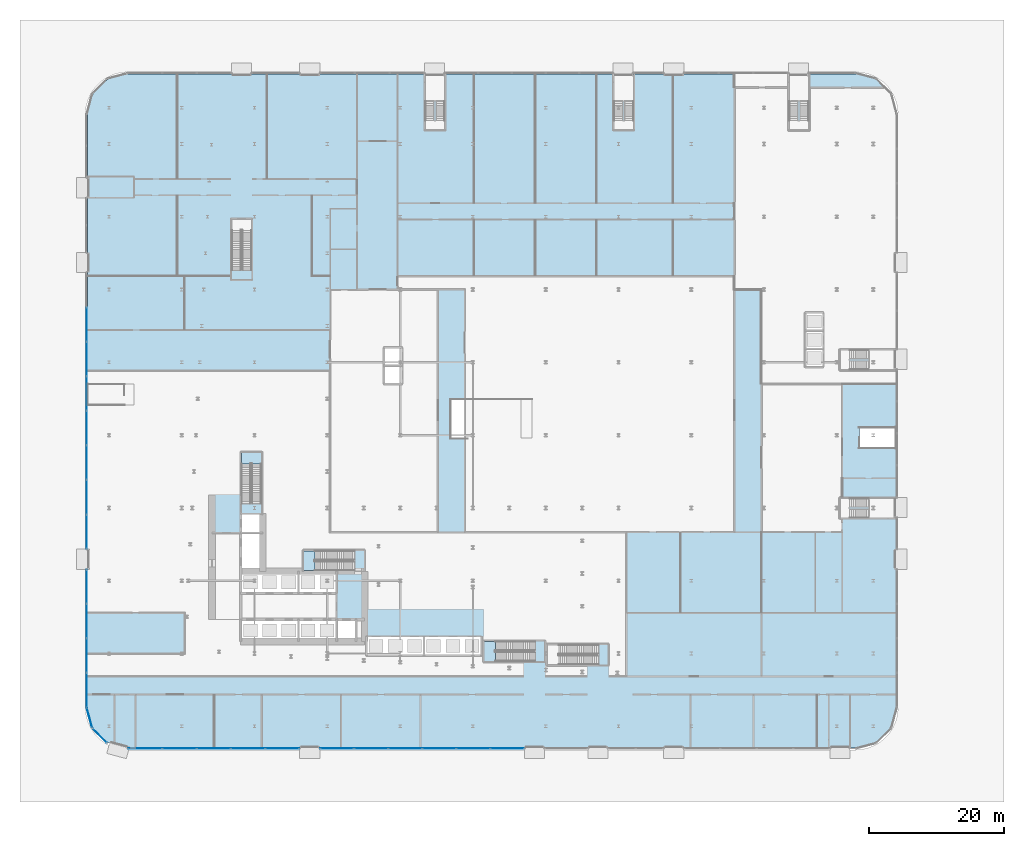
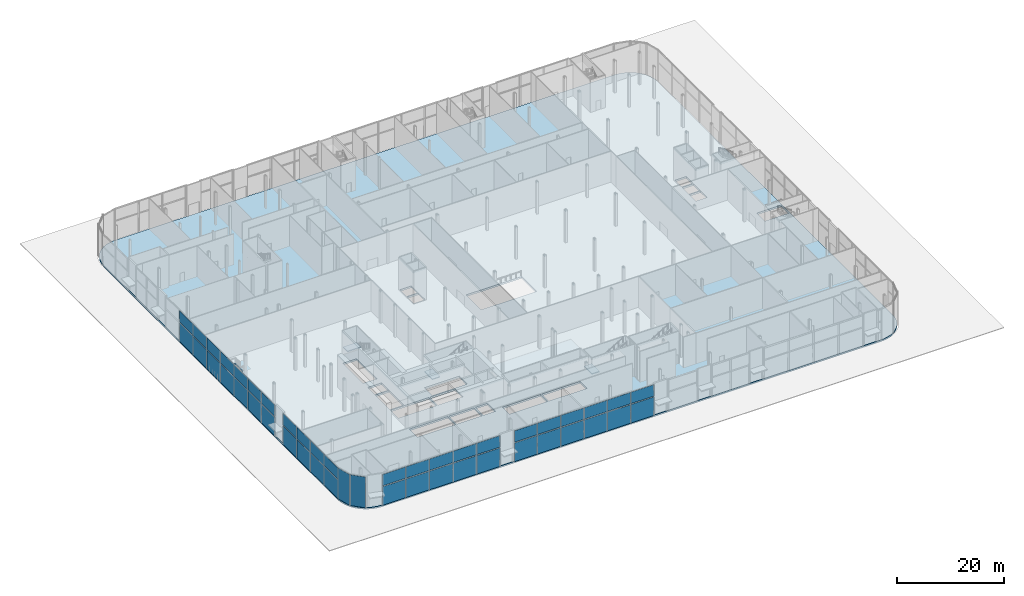
# One storey, part 18 of 46: 46 plates, 4 slabs, 9 elements without a shape of their own.
"""IFC4 building model written with IfcOpenShell, lengths in metres."""

from ifc_helpers import new_model, si_unit, direction, frame, origin, origin_2d, place, context, subcontext, project, spatial, polyline, rectangle, outline, extrude, material, layer, layer_set, type_object, element, aggregate, save


model = new_model("IFC4")

# Units and contexts
model_context = context("Model", 3, precision=1e-05, world=origin(), true_north=direction((0.0, 1.0)))
body_context = subcontext(model_context, "Body", "Model", "MODEL_VIEW")
ifc_project = project(units=[si_unit("LENGTHUNIT", "METRE"), si_unit("AREAUNIT", "SQUARE_METRE"), si_unit("VOLUMEUNIT", "CUBIC_METRE"), si_unit("PLANEANGLEUNIT", "RADIAN"), si_unit("MASSUNIT", "GRAM", prefix="KILO")], contexts=[model_context])

# Site, building, storey
site_placement = place(None, origin())
site = spatial("IfcSite", under=ifc_project, at=site_placement, CompositionType="ELEMENT")
building_placement = place(site_placement, origin())
building = spatial("IfcBuilding", under=site, at=building_placement, Name="Kheshtan School and Residences Tower", CompositionType="ELEMENT")
storey_placement = place(building_placement, origin())
storey = spatial("IfcBuildingStorey", under=building, at=storey_placement, Name="L00", CompositionType="ELEMENT", Elevation=0.0)

# Curtain wall, plates
ifc_material_1 = material(Name="Clear low-e glass in thermally broken aluminium frame", Category="aluminium")
ifc_layer_1 = layer(ifc_material_1, 0.300048828125)
ifc_layer_set_1 = layer_set([ifc_layer_1], Name="Curtain wall CW-A")
curtain_wall_type = type_object("IfcCurtainWallType", Name="Curtain wall CW-A", PredefinedType="NOTDEFINED", material=ifc_layer_set_1)
curtain_wall_1_placement = place(storey_placement, origin())
curtain_wall_1 = element("IfcCurtainWall", 1, at=curtain_wall_1_placement, inside=storey, type_object=curtain_wall_type, Name="Curtain wall CWA12d", PredefinedType="NOTDEFINED")
ifc_layer_2 = layer(ifc_material_1, 0.0439453125)
ifc_layer_set_2 = layer_set([ifc_layer_2], Name="CW-A glass panel")
plate_type = type_object("IfcPlateType", Name="CW-A glass panel", PredefinedType="CURTAIN_PANEL", material=ifc_layer_set_2)
plate_1_placement = place(storey_placement, frame((74.288330078125, 9.89990234375, 0.0), z_axis=(0.0, 0.0, 1.0), x_axis=(-1.0, 0.0, 0.0)))
plate_1 = element("IfcPlate", 2, at=plate_1_placement, type_object=plate_type, Name="CWA12d panel 1.1", PredefinedType="CURTAIN_PANEL", context=body_context, shape_type="SweptSolid", body=[
    extrude(rectangle(XDim=4.943359375, YDim=0.0439453125, at=origin_2d()), origin(), (0.0, 0.0, 1.0), 4.25),
])
plate_2_placement = place(storey_placement, frame((74.288330078125, 9.89990234375, 4.449951171875), z_axis=(0.0, 0.0, 1.0), x_axis=(-1.0, 0.0, 0.0)))
plate_2 = element("IfcPlate", 3, at=plate_2_placement, type_object=plate_type, Name="CWA12d panel 1.2", PredefinedType="CURTAIN_PANEL", context=body_context, shape_type="SweptSolid", body=[
    extrude(rectangle(XDim=4.943359375, YDim=0.0439453125, at=origin_2d()), origin(), (0.0, 0.0, 1.0), 2.60009765625),
])
plate_3_placement = place(storey_placement, frame((69.251220703125, 9.89990234375, 0.0), z_axis=(0.0, 0.0, 1.0), x_axis=(-1.0, 0.0, 0.0)))
plate_3 = element("IfcPlate", 4, at=plate_3_placement, type_object=plate_type, Name="CWA12d panel 2.1", PredefinedType="CURTAIN_PANEL", context=body_context, shape_type="SweptSolid", body=[
    extrude(rectangle(XDim=4.980712890625, YDim=0.0439453125, at=origin_2d()), origin(), (0.0, 0.0, 1.0), 4.25),
])
plate_4_placement = place(storey_placement, frame((69.251220703125, 9.89990234375, 4.449951171875), z_axis=(0.0, 0.0, 1.0), x_axis=(-1.0, 0.0, 0.0)))
plate_4 = element("IfcPlate", 5, at=plate_4_placement, type_object=plate_type, Name="CWA12d panel 2.2", PredefinedType="CURTAIN_PANEL", context=body_context, shape_type="SweptSolid", body=[
    extrude(rectangle(XDim=4.980712890625, YDim=0.0439453125, at=origin_2d()), origin(), (0.0, 0.0, 1.0), 2.60009765625),
])
plate_5_placement = place(storey_placement, frame((64.1953125, 9.89990234375, 0.0), z_axis=(0.0, 0.0, 1.0), x_axis=(-1.0, 0.0, 0.0)))
plate_5 = element("IfcPlate", 6, at=plate_5_placement, type_object=plate_type, Name="CWA12d panel 3.1", PredefinedType="CURTAIN_PANEL", context=body_context, shape_type="SweptSolid", body=[
    extrude(rectangle(XDim=4.980712890625, YDim=0.0439453125, at=origin_2d()), origin(), (0.0, 0.0, 1.0), 4.25),
])
plate_6_placement = place(storey_placement, frame((64.1953125, 9.89990234375, 4.449951171875), z_axis=(0.0, 0.0, 1.0), x_axis=(-1.0, 0.0, 0.0)))
plate_6 = element("IfcPlate", 7, at=plate_6_placement, type_object=plate_type, Name="CWA12d panel 3.2", PredefinedType="CURTAIN_PANEL", context=body_context, shape_type="SweptSolid", body=[
    extrude(rectangle(XDim=4.980712890625, YDim=0.0439453125, at=origin_2d()), origin(), (0.0, 0.0, 1.0), 2.60009765625),
])
plate_7_placement = place(storey_placement, frame((59.1396484375, 9.89990234375, 0.0), z_axis=(0.0, 0.0, 1.0), x_axis=(-1.0, 0.0, 0.0)))
plate_7 = element("IfcPlate", 8, at=plate_7_placement, type_object=plate_type, Name="CWA12d panel 4.1", PredefinedType="CURTAIN_PANEL", context=body_context, shape_type="SweptSolid", body=[
    extrude(rectangle(XDim=4.980712890625, YDim=0.0439453125, at=origin_2d()), origin(), (0.0, 0.0, 1.0), 4.25),
])
plate_8_placement = place(storey_placement, frame((59.1396484375, 9.89990234375, 4.449951171875), z_axis=(0.0, 0.0, 1.0), x_axis=(-1.0, 0.0, 0.0)))
plate_8 = element("IfcPlate", 9, at=plate_8_placement, type_object=plate_type, Name="CWA12d panel 4.2", PredefinedType="CURTAIN_PANEL", context=body_context, shape_type="SweptSolid", body=[
    extrude(rectangle(XDim=4.980712890625, YDim=0.0439453125, at=origin_2d()), origin(), (0.0, 0.0, 1.0), 2.60009765625),
])
plate_9_placement = place(storey_placement, frame((54.083740234375, 9.89990234375, 0.0), z_axis=(0.0, 0.0, 1.0), x_axis=(-1.0, 0.0, 0.0)))
plate_9 = element("IfcPlate", 10, at=plate_9_placement, type_object=plate_type, Name="CWA12d panel 5.1", PredefinedType="CURTAIN_PANEL", context=body_context, shape_type="SweptSolid", body=[
    extrude(rectangle(XDim=4.980712890625, YDim=0.0439453125, at=origin_2d()), origin(), (0.0, 0.0, 1.0), 4.25),
])
plate_10_placement = place(storey_placement, frame((54.083740234375, 9.89990234375, 4.449951171875), z_axis=(0.0, 0.0, 1.0), x_axis=(-1.0, 0.0, 0.0)))
plate_10 = element("IfcPlate", 11, at=plate_10_placement, type_object=plate_type, Name="CWA12d panel 5.2", PredefinedType="CURTAIN_PANEL", context=body_context, shape_type="SweptSolid", body=[
    extrude(rectangle(XDim=4.980712890625, YDim=0.0439453125, at=origin_2d()), origin(), (0.0, 0.0, 1.0), 2.60009765625),
])
plate_11_placement = place(storey_placement, frame((49.046630859375, 9.89990234375, 0.0), z_axis=(0.0, 0.0, 1.0), x_axis=(-1.0, 0.0, 0.0)))
plate_11 = element("IfcPlate", 12, at=plate_11_placement, type_object=plate_type, Name="CWA12d panel 6.1", PredefinedType="CURTAIN_PANEL", context=body_context, shape_type="SweptSolid", body=[
    extrude(rectangle(XDim=4.943359375, YDim=0.0439453125, at=origin_2d()), origin(), (0.0, 0.0, 1.0), 4.25),
])
plate_12_placement = place(storey_placement, frame((49.046630859375, 9.89990234375, 4.449951171875), z_axis=(0.0, 0.0, 1.0), x_axis=(-1.0, 0.0, 0.0)))
plate_12 = element("IfcPlate", 13, at=plate_12_placement, type_object=plate_type, Name="CWA12d panel 6.2", PredefinedType="CURTAIN_PANEL", context=body_context, shape_type="SweptSolid", body=[
    extrude(rectangle(XDim=4.943359375, YDim=0.0439453125, at=origin_2d()), origin(), (0.0, 0.0, 1.0), 2.60009765625),
])
aggregate(curtain_wall_1, [plate_1, plate_2, plate_3, plate_4, plate_5, plate_6, plate_7, plate_8, plate_9, plate_10, plate_11, plate_12])

curtain_wall_2_placement = place(storey_placement, origin())
curtain_wall_2 = element("IfcCurtainWall", 14, at=curtain_wall_2_placement, inside=storey, type_object=curtain_wall_type, Name="Curtain wall CWA12e", PredefinedType="NOTDEFINED")
plate_13_placement = place(storey_placement, frame((40.93115234375, 9.89990234375, 0.0), z_axis=(0.0, 0.0, 1.0), x_axis=(-1.0, 0.0, 0.0)))
plate_13 = element("IfcPlate", 15, at=plate_13_placement, type_object=plate_type, Name="CWA12e panel 1.1", PredefinedType="CURTAIN_PANEL", context=body_context, shape_type="SweptSolid", body=[
    extrude(rectangle(XDim=4.987548828125, YDim=0.0439453125, at=origin_2d()), origin(), (0.0, 0.0, 1.0), 4.25),
])
plate_14_placement = place(storey_placement, frame((40.93115234375, 9.89990234375, 4.449951171875), z_axis=(0.0, 0.0, 1.0), x_axis=(-1.0, 0.0, 0.0)))
plate_14 = element("IfcPlate", 16, at=plate_14_placement, type_object=plate_type, Name="CWA12e panel 1.2", PredefinedType="CURTAIN_PANEL", context=body_context, shape_type="SweptSolid", body=[
    extrude(rectangle(XDim=4.987548828125, YDim=0.0439453125, at=origin_2d()), origin(), (0.0, 0.0, 1.0), 2.60009765625),
])
plate_15_placement = place(storey_placement, frame((35.85009765625, 9.89990234375, 0.0), z_axis=(0.0, 0.0, 1.0), x_axis=(-1.0, 0.0, 0.0)))
plate_15 = element("IfcPlate", 17, at=plate_15_placement, type_object=plate_type, Name="CWA12e panel 2.1", PredefinedType="CURTAIN_PANEL", context=body_context, shape_type="SweptSolid", body=[
    extrude(rectangle(XDim=5.02490234375, YDim=0.0439453125, at=origin_2d()), origin(), (0.0, 0.0, 1.0), 4.25),
])
plate_16_placement = place(storey_placement, frame((35.85009765625, 9.89990234375, 4.449951171875), z_axis=(0.0, 0.0, 1.0), x_axis=(-1.0, 0.0, 0.0)))
plate_16 = element("IfcPlate", 18, at=plate_16_placement, type_object=plate_type, Name="CWA12e panel 2.2", PredefinedType="CURTAIN_PANEL", context=body_context, shape_type="SweptSolid", body=[
    extrude(rectangle(XDim=5.02490234375, YDim=0.0439453125, at=origin_2d()), origin(), (0.0, 0.0, 1.0), 2.60009765625),
])
plate_17_placement = place(storey_placement, frame((30.75, 9.89990234375, 0.0), z_axis=(0.0, 0.0, 1.0), x_axis=(-1.0, 0.0, 0.0)))
plate_17 = element("IfcPlate", 19, at=plate_17_placement, type_object=plate_type, Name="CWA12e panel 3.1", PredefinedType="CURTAIN_PANEL", context=body_context, shape_type="SweptSolid", body=[
    extrude(rectangle(XDim=5.02490234375, YDim=0.0439453125, at=origin_2d()), origin(), (0.0, 0.0, 1.0), 4.25),
])
plate_18_placement = place(storey_placement, frame((30.75, 9.89990234375, 4.449951171875), z_axis=(0.0, 0.0, 1.0), x_axis=(-1.0, 0.0, 0.0)))
plate_18 = element("IfcPlate", 20, at=plate_18_placement, type_object=plate_type, Name="CWA12e panel 3.2", PredefinedType="CURTAIN_PANEL", context=body_context, shape_type="SweptSolid", body=[
    extrude(rectangle(XDim=5.02490234375, YDim=0.0439453125, at=origin_2d()), origin(), (0.0, 0.0, 1.0), 2.60009765625),
])
plate_19_placement = place(storey_placement, frame((25.64990234375, 9.89990234375, 0.0), z_axis=(0.0, 0.0, 1.0), x_axis=(-1.0, 0.0, 0.0)))
plate_19 = element("IfcPlate", 21, at=plate_19_placement, type_object=plate_type, Name="CWA12e panel 4.1", PredefinedType="CURTAIN_PANEL", context=body_context, shape_type="SweptSolid", body=[
    extrude(rectangle(XDim=5.02490234375, YDim=0.0439453125, at=origin_2d()), origin(), (0.0, 0.0, 1.0), 4.25),
])
plate_20_placement = place(storey_placement, frame((25.64990234375, 9.89990234375, 4.449951171875), z_axis=(0.0, 0.0, 1.0), x_axis=(-1.0, 0.0, 0.0)))
plate_20 = element("IfcPlate", 22, at=plate_20_placement, type_object=plate_type, Name="CWA12e panel 4.2", PredefinedType="CURTAIN_PANEL", context=body_context, shape_type="SweptSolid", body=[
    extrude(rectangle(XDim=5.02490234375, YDim=0.0439453125, at=origin_2d()), origin(), (0.0, 0.0, 1.0), 2.60009765625),
])
plate_21_placement = place(storey_placement, frame((20.56884765625, 9.89990234375, 0.0), z_axis=(0.0, 0.0, 1.0), x_axis=(-1.0, 0.0, 0.0)))
plate_21 = element("IfcPlate", 23, at=plate_21_placement, type_object=plate_type, Name="CWA12e panel 5.1", PredefinedType="CURTAIN_PANEL", context=body_context, shape_type="SweptSolid", body=[
    extrude(rectangle(XDim=4.987548828125, YDim=0.0439453125, at=origin_2d()), origin(), (0.0, 0.0, 1.0), 4.25),
])
plate_22_placement = place(storey_placement, frame((20.56884765625, 9.89990234375, 4.449951171875), z_axis=(0.0, 0.0, 1.0), x_axis=(-1.0, 0.0, 0.0)))
plate_22 = element("IfcPlate", 24, at=plate_22_placement, type_object=plate_type, Name="CWA12e panel 5.2", PredefinedType="CURTAIN_PANEL", context=body_context, shape_type="SweptSolid", body=[
    extrude(rectangle(XDim=4.987548828125, YDim=0.0439453125, at=origin_2d()), origin(), (0.0, 0.0, 1.0), 2.60009765625),
])
aggregate(curtain_wall_2, [plate_13, plate_14, plate_15, plate_16, plate_17, plate_18, plate_19, plate_20, plate_21, plate_22])

# Curtain wall, plate
curtain_wall_3_placement = place(storey_placement, origin())
curtain_wall_3 = element("IfcCurtainWall", 25, at=curtain_wall_3_placement, inside=storey, type_object=curtain_wall_type, Name="Curtain wall CWA14", PredefinedType="NOTDEFINED")
plate_23_placement = place(storey_placement, frame((13.831298828125, 11.831298828125, 0.0), z_axis=(0.0, 0.0, 1.0), x_axis=(-0.707106781187, 0.707106781187, 0.0)))
plate_23 = element("IfcPlate", 26, at=plate_23_placement, type_object=plate_type, Name="CWA14 panel 1.1", PredefinedType="CURTAIN_PANEL", context=body_context, shape_type="SweptSolid", body=[
    extrude(rectangle(XDim=2.95556640625, YDim=0.0439453125, at=origin_2d()), origin(), (0.0, 0.0, 1.0), 7.050048828125),
])
aggregate(curtain_wall_3, [plate_23])

curtain_wall_4_placement = place(storey_placement, origin())
curtain_wall_4 = element("IfcCurtainWall", 27, at=curtain_wall_4_placement, inside=storey, type_object=curtain_wall_type, Name="Curtain wall CWA15", PredefinedType="NOTDEFINED")
plate_24_placement = place(storey_placement, frame((12.305419921875, 14.47412109375, 0.0), z_axis=(0.0, 0.0, 1.0), x_axis=(-0.258864833085, 0.965913556273, 0.0)))
plate_24 = element("IfcPlate", 28, at=plate_24_placement, type_object=plate_type, Name="CWA15 panel 1.1", PredefinedType="CURTAIN_PANEL", context=body_context, shape_type="SweptSolid", body=[
    extrude(rectangle(XDim=2.955810546875, YDim=0.0439453125, at=origin_2d()), origin(), (0.0, 0.0, 1.0), 7.050048828125),
])
aggregate(curtain_wall_4, [plate_24])

# Curtain wall, plates
curtain_wall_5_placement = place(storey_placement, origin())
curtain_wall_5 = element("IfcCurtainWall", 29, at=curtain_wall_5_placement, inside=storey, type_object=curtain_wall_type, Name="Curtain wall CWA16", PredefinedType="NOTDEFINED")
plate_25_placement = place(storey_placement, frame((11.89990234375, 18.531494140625, 0.0), z_axis=(0.0, 0.0, 1.0), x_axis=(0.0, 1.0, 0.0)))
plate_25 = element("IfcPlate", 30, at=plate_25_placement, type_object=plate_type, Name="CWA16 panel 1.1", PredefinedType="CURTAIN_PANEL", context=body_context, shape_type="SweptSolid", body=[
    extrude(rectangle(XDim=5.112060546875, YDim=0.0439453125, at=origin_2d()), origin(), (0.0, 0.0, 1.0), 4.25),
])
plate_26_placement = place(storey_placement, frame((11.89990234375, 18.531494140625, 4.449951171875), z_axis=(0.0, 0.0, 1.0), x_axis=(0.0, 1.0, 0.0)))
plate_26 = element("IfcPlate", 31, at=plate_26_placement, type_object=plate_type, Name="CWA16 panel 1.2", PredefinedType="CURTAIN_PANEL", context=body_context, shape_type="SweptSolid", body=[
    extrude(rectangle(XDim=5.112060546875, YDim=0.0439453125, at=origin_2d()), origin(), (0.0, 0.0, 1.0), 2.60009765625),
])
plate_27_placement = place(storey_placement, frame((11.89990234375, 23.6875, 0.0), z_axis=(0.0, 0.0, 1.0), x_axis=(0.0, 1.0, 0.0)))
plate_27 = element("IfcPlate", 32, at=plate_27_placement, type_object=plate_type, Name="CWA16 panel 2.1", PredefinedType="CURTAIN_PANEL", context=body_context, shape_type="SweptSolid", body=[
    extrude(rectangle(XDim=5.050048828125, YDim=0.0439453125, at=origin_2d()), origin(), (0.0, 0.0, 1.0), 4.25),
])
plate_28_placement = place(storey_placement, frame((11.89990234375, 23.6875, 4.449951171875), z_axis=(0.0, 0.0, 1.0), x_axis=(0.0, 1.0, 0.0)))
plate_28 = element("IfcPlate", 33, at=plate_28_placement, type_object=plate_type, Name="CWA16 panel 2.2", PredefinedType="CURTAIN_PANEL", context=body_context, shape_type="SweptSolid", body=[
    extrude(rectangle(XDim=5.050048828125, YDim=0.0439453125, at=origin_2d()), origin(), (0.0, 0.0, 1.0), 2.60009765625),
])
plate_29_placement = place(storey_placement, frame((11.89990234375, 28.8125, 0.0), z_axis=(0.0, 0.0, 1.0), x_axis=(0.0, 1.0, 0.0)))
plate_29 = element("IfcPlate", 34, at=plate_29_placement, type_object=plate_type, Name="CWA16 panel 3.1", PredefinedType="CURTAIN_PANEL", context=body_context, shape_type="SweptSolid", body=[
    extrude(rectangle(XDim=5.050048828125, YDim=0.0439453125, at=origin_2d()), origin(), (0.0, 0.0, 1.0), 4.25),
])
plate_30_placement = place(storey_placement, frame((11.89990234375, 28.8125, 4.449951171875), z_axis=(0.0, 0.0, 1.0), x_axis=(0.0, 1.0, 0.0)))
plate_30 = element("IfcPlate", 35, at=plate_30_placement, type_object=plate_type, Name="CWA16 panel 3.2", PredefinedType="CURTAIN_PANEL", context=body_context, shape_type="SweptSolid", body=[
    extrude(rectangle(XDim=5.050048828125, YDim=0.0439453125, at=origin_2d()), origin(), (0.0, 0.0, 1.0), 2.60009765625),
])
plate_31_placement = place(storey_placement, frame((11.89990234375, 33.918701171875, 0.0), z_axis=(0.0, 0.0, 1.0), x_axis=(0.0, 1.0, 0.0)))
plate_31 = element("IfcPlate", 36, at=plate_31_placement, type_object=plate_type, Name="CWA16 panel 4.1", PredefinedType="CURTAIN_PANEL", context=body_context, shape_type="SweptSolid", body=[
    extrude(rectangle(XDim=5.012451171875, YDim=0.0439453125, at=origin_2d()), origin(), (0.0, 0.0, 1.0), 4.25),
])
plate_32_placement = place(storey_placement, frame((11.89990234375, 33.918701171875, 4.449951171875), z_axis=(0.0, 0.0, 1.0), x_axis=(0.0, 1.0, 0.0)))
plate_32 = element("IfcPlate", 37, at=plate_32_placement, type_object=plate_type, Name="CWA16 panel 4.2", PredefinedType="CURTAIN_PANEL", context=body_context, shape_type="SweptSolid", body=[
    extrude(rectangle(XDim=5.012451171875, YDim=0.0439453125, at=origin_2d()), origin(), (0.0, 0.0, 1.0), 2.60009765625),
])
aggregate(curtain_wall_5, [plate_25, plate_26, plate_27, plate_28, plate_29, plate_30, plate_31, plate_32])

curtain_wall_6_placement = place(storey_placement, origin())
curtain_wall_6 = element("IfcCurtainWall", 38, at=curtain_wall_6_placement, inside=storey, type_object=curtain_wall_type, Name="Curtain wall CWA16a", PredefinedType="NOTDEFINED")
plate_33_placement = place(storey_placement, frame((11.89990234375, 42.081298828125, 0.0), z_axis=(0.0, 0.0, 1.0), x_axis=(0.0, 1.0, 0.0)))
plate_33 = element("IfcPlate", 39, at=plate_33_placement, type_object=plate_type, Name="CWA16a panel 1.1", PredefinedType="CURTAIN_PANEL", context=body_context, shape_type="SweptSolid", body=[
    extrude(rectangle(XDim=5.012451171875, YDim=0.0439453125, at=origin_2d()), origin(), (0.0, 0.0, 1.0), 4.25),
])
plate_34_placement = place(storey_placement, frame((11.89990234375, 42.081298828125, 4.449951171875), z_axis=(0.0, 0.0, 1.0), x_axis=(0.0, 1.0, 0.0)))
plate_34 = element("IfcPlate", 40, at=plate_34_placement, type_object=plate_type, Name="CWA16a panel 1.2", PredefinedType="CURTAIN_PANEL", context=body_context, shape_type="SweptSolid", body=[
    extrude(rectangle(XDim=5.012451171875, YDim=0.0439453125, at=origin_2d()), origin(), (0.0, 0.0, 1.0), 2.60009765625),
])
plate_35_placement = place(storey_placement, frame((11.89990234375, 47.1875, 0.0), z_axis=(0.0, 0.0, 1.0), x_axis=(0.0, 1.0, 0.0)))
plate_35 = element("IfcPlate", 41, at=plate_35_placement, type_object=plate_type, Name="CWA16a panel 2.1", PredefinedType="CURTAIN_PANEL", context=body_context, shape_type="SweptSolid", body=[
    extrude(rectangle(XDim=5.050048828125, YDim=0.0439453125, at=origin_2d()), origin(), (0.0, 0.0, 1.0), 4.25),
])
plate_36_placement = place(storey_placement, frame((11.89990234375, 47.1875, 4.449951171875), z_axis=(0.0, 0.0, 1.0), x_axis=(0.0, 1.0, 0.0)))
plate_36 = element("IfcPlate", 42, at=plate_36_placement, type_object=plate_type, Name="CWA16a panel 2.2", PredefinedType="CURTAIN_PANEL", context=body_context, shape_type="SweptSolid", body=[
    extrude(rectangle(XDim=5.050048828125, YDim=0.0439453125, at=origin_2d()), origin(), (0.0, 0.0, 1.0), 2.60009765625),
])
plate_37_placement = place(storey_placement, frame((11.89990234375, 52.3125, 0.0), z_axis=(0.0, 0.0, 1.0), x_axis=(0.0, 1.0, 0.0)))
plate_37 = element("IfcPlate", 43, at=plate_37_placement, type_object=plate_type, Name="CWA16a panel 3.1", PredefinedType="CURTAIN_PANEL", context=body_context, shape_type="SweptSolid", body=[
    extrude(rectangle(XDim=5.050048828125, YDim=0.0439453125, at=origin_2d()), origin(), (0.0, 0.0, 1.0), 4.25),
])
plate_38_placement = place(storey_placement, frame((11.89990234375, 52.3125, 4.449951171875), z_axis=(0.0, 0.0, 1.0), x_axis=(0.0, 1.0, 0.0)))
plate_38 = element("IfcPlate", 44, at=plate_38_placement, type_object=plate_type, Name="CWA16a panel 3.2", PredefinedType="CURTAIN_PANEL", context=body_context, shape_type="SweptSolid", body=[
    extrude(rectangle(XDim=5.050048828125, YDim=0.0439453125, at=origin_2d()), origin(), (0.0, 0.0, 1.0), 2.60009765625),
])
plate_39_placement = place(storey_placement, frame((11.89990234375, 57.4375, 0.0), z_axis=(0.0, 0.0, 1.0), x_axis=(0.0, 1.0, 0.0)))
plate_39 = element("IfcPlate", 45, at=plate_39_placement, type_object=plate_type, Name="CWA16a panel 4.1", PredefinedType="CURTAIN_PANEL", context=body_context, shape_type="SweptSolid", body=[
    extrude(rectangle(XDim=5.050048828125, YDim=0.0439453125, at=origin_2d()), origin(), (0.0, 0.0, 1.0), 4.25),
])
plate_40_placement = place(storey_placement, frame((11.89990234375, 57.4375, 4.449951171875), z_axis=(0.0, 0.0, 1.0), x_axis=(0.0, 1.0, 0.0)))
plate_40 = element("IfcPlate", 46, at=plate_40_placement, type_object=plate_type, Name="CWA16a panel 4.2", PredefinedType="CURTAIN_PANEL", context=body_context, shape_type="SweptSolid", body=[
    extrude(rectangle(XDim=5.050048828125, YDim=0.0439453125, at=origin_2d()), origin(), (0.0, 0.0, 1.0), 2.60009765625),
])
plate_41_placement = place(storey_placement, frame((11.89990234375, 62.5625, 0.0), z_axis=(0.0, 0.0, 1.0), x_axis=(0.0, 1.0, 0.0)))
plate_41 = element("IfcPlate", 47, at=plate_41_placement, type_object=plate_type, Name="CWA16a panel 5.1", PredefinedType="CURTAIN_PANEL", context=body_context, shape_type="SweptSolid", body=[
    extrude(rectangle(XDim=5.050048828125, YDim=0.0439453125, at=origin_2d()), origin(), (0.0, 0.0, 1.0), 4.25),
])
plate_42_placement = place(storey_placement, frame((11.89990234375, 62.5625, 4.449951171875), z_axis=(0.0, 0.0, 1.0), x_axis=(0.0, 1.0, 0.0)))
plate_42 = element("IfcPlate", 48, at=plate_42_placement, type_object=plate_type, Name="CWA16a panel 5.2", PredefinedType="CURTAIN_PANEL", context=body_context, shape_type="SweptSolid", body=[
    extrude(rectangle(XDim=5.050048828125, YDim=0.0439453125, at=origin_2d()), origin(), (0.0, 0.0, 1.0), 2.60009765625),
])
plate_43_placement = place(storey_placement, frame((11.89990234375, 67.6875, 0.0), z_axis=(0.0, 0.0, 1.0), x_axis=(0.0, 1.0, 0.0)))
plate_43 = element("IfcPlate", 49, at=plate_43_placement, type_object=plate_type, Name="CWA16a panel 6.1", PredefinedType="CURTAIN_PANEL", context=body_context, shape_type="SweptSolid", body=[
    extrude(rectangle(XDim=5.050048828125, YDim=0.0439453125, at=origin_2d()), origin(), (0.0, 0.0, 1.0), 4.25),
])
plate_44_placement = place(storey_placement, frame((11.89990234375, 67.6875, 4.449951171875), z_axis=(0.0, 0.0, 1.0), x_axis=(0.0, 1.0, 0.0)))
plate_44 = element("IfcPlate", 50, at=plate_44_placement, type_object=plate_type, Name="CWA16a panel 6.2", PredefinedType="CURTAIN_PANEL", context=body_context, shape_type="SweptSolid", body=[
    extrude(rectangle(XDim=5.050048828125, YDim=0.0439453125, at=origin_2d()), origin(), (0.0, 0.0, 1.0), 2.60009765625),
])
plate_45_placement = place(storey_placement, frame((11.89990234375, 72.8125, 0.0), z_axis=(0.0, 0.0, 1.0), x_axis=(0.0, 1.0, 0.0)))
plate_45 = element("IfcPlate", 51, at=plate_45_placement, type_object=plate_type, Name="CWA16a panel 7.1", PredefinedType="CURTAIN_PANEL", context=body_context, shape_type="SweptSolid", body=[
    extrude(rectangle(XDim=5.050048828125, YDim=0.0439453125, at=origin_2d()), origin(), (0.0, 0.0, 1.0), 4.25),
])
plate_46_placement = place(storey_placement, frame((11.89990234375, 72.8125, 4.449951171875), z_axis=(0.0, 0.0, 1.0), x_axis=(0.0, 1.0, 0.0)))
plate_46 = element("IfcPlate", 52, at=plate_46_placement, type_object=plate_type, Name="CWA16a panel 7.2", PredefinedType="CURTAIN_PANEL", context=body_context, shape_type="SweptSolid", body=[
    extrude(rectangle(XDim=5.050048828125, YDim=0.0439453125, at=origin_2d()), origin(), (0.0, 0.0, 1.0), 2.60009765625),
])
aggregate(curtain_wall_6, [plate_33, plate_34, plate_35, plate_36, plate_37, plate_38, plate_39, plate_40, plate_41, plate_42, plate_43, plate_44, plate_45, plate_46])

# Slab
ifc_material_2 = material(Name="Concrete C40/50", Category="concrete")
ifc_layer_3 = layer(ifc_material_2, 0.419921875)
ifc_layer_set_3 = layer_set([ifc_layer_3], Name="Floor slab 420 Concrete C40/50")
slab_type_1 = type_object("IfcSlabType", Name="Floor slab 420 Concrete C40/50", PredefinedType="FLOOR", material=ifc_layer_set_3)
slab_1_placement = place(storey_placement, frame((0.0, 0.0, -0.419921875)))
element("IfcSlab", 53, at=slab_1_placement, inside=storey, type_object=slab_type_1, Name="Floor slab L00", PredefinedType="FLOOR", context=body_context, shape_type="SweptSolid", body=[
    extrude(outline(polyline([(14.14306640625, 108.595947265625), (15.0, 109.196044921875), (15.947998046875, 109.637939453125), (16.9580078125, 109.908935546875), (18.0, 110.0), (126.0, 110.0), (127.0419921875, 109.908935546875), (128.052001953125, 109.637939453125), (129.0, 109.196044921875), (129.85693359375, 108.595947265625), (130.595947265625, 107.85693359375), (131.196044921875, 107.0), (131.637939453125, 106.052001953125), (131.908935546875, 105.0419921875), (132.0, 104.0), (132.0, 16.0), (131.908935546875, 14.9580078125), (131.637939453125, 13.947998046875), (131.196044921875, 13.0), (130.595947265625, 12.14306640625), (129.85693359375, 11.404052734375), (129.0, 10.803955078125), (128.052001953125, 10.362060546875), (127.0419921875, 10.091064453125), (126.0, 10.0), (18.0, 10.0), (16.9580078125, 10.091064453125), (15.947998046875, 10.362060546875), (15.0, 10.803955078125), (14.14306640625, 11.404052734375), (13.404052734375, 12.14306640625), (12.803955078125, 13.0), (12.362060546875, 13.947998046875), (12.091064453125, 14.9580078125), (12.0, 16.0), (12.0, 104.0), (12.091064453125, 105.0419921875), (12.362060546875, 106.052001953125), (12.803955078125, 107.0), (13.404052734375, 107.85693359375), (14.14306640625, 108.595947265625)]), holes=[polyline([(43.175048828125, 25.925048828125), (43.175048828125, 28.925048828125), (34.875, 28.925048828125), (34.875, 25.925048828125), (43.175048828125, 25.925048828125)]), polyline([(43.425048828125, 28.925048828125), (43.425048828125, 25.925048828125), (48.875, 25.925048828125), (48.875, 28.925048828125), (43.425048828125, 28.925048828125)]), polyline([(51.72509765625, 28.925048828125), (49.125, 28.925048828125), (49.125, 25.925048828125), (51.72509765625, 25.925048828125), (51.72509765625, 28.925048828125)]), polyline([(43.175048828125, 33.074951171875), (43.175048828125, 36.074951171875), (34.875, 36.074951171875), (34.875, 33.074951171875), (43.175048828125, 33.074951171875)]), polyline([(43.425048828125, 36.074951171875), (43.425048828125, 33.074951171875), (48.875, 33.074951171875), (48.875, 36.074951171875), (43.425048828125, 36.074951171875)]), polyline([(51.64990234375, 37.699951171875), (51.64990234375, 39.25), (44.090087890625, 39.25), (44.090087890625, 36.300048828125), (51.639892578125, 36.300048828125), (51.639892578125, 37.699951171875), (51.64990234375, 37.699951171875)]), polyline([(37.875, 41.77490234375), (34.875, 41.77490234375), (34.875, 36.324951171875), (37.875, 36.324951171875), (37.875, 41.77490234375)]), polyline([(37.875, 42.02490234375), (37.875, 44.625), (34.875, 44.625), (34.875, 42.02490234375), (37.875, 42.02490234375)]), polyline([(36.25, 46.260009765625), (36.25, 46.25), (37.800048828125, 46.25), (37.800048828125, 53.81005859375), (34.85009765625, 53.81005859375), (34.85009765625, 46.260009765625), (36.25, 46.260009765625)]), polyline([(12.10009765625, 63.89990234375), (12.10009765625, 60.949951171875), (17.409912109375, 60.949951171875), (17.409912109375, 62.35009765625), (17.419921875, 62.35009765625), (17.419921875, 63.89990234375), (12.10009765625, 63.89990234375)]), polyline([(61.824951171875, 23.824951171875), (61.824951171875, 26.425048828125), (53.52490234375, 26.425048828125), (53.52490234375, 23.824951171875), (61.824951171875, 23.824951171875)]), polyline([(62.074951171875, 26.425048828125), (62.074951171875, 23.824951171875), (70.375, 23.824951171875), (70.375, 26.425048828125), (62.074951171875, 26.425048828125)]), polyline([(126.590087890625, 56.10009765625), (126.580078125, 56.10009765625), (126.580078125, 54.5), (131.89990234375, 54.5), (131.89990234375, 57.5), (126.590087890625, 57.5), (126.590087890625, 56.10009765625)]), polyline([(78.0, 56.0), (78.0, 61.60009765625), (66.0, 61.60009765625), (66.0, 56.0), (78.0, 56.0)]), polyline([(58.574951171875, 66.574951171875), (56.125, 66.574951171875), (56.125, 64.125), (58.574951171875, 64.125), (58.574951171875, 66.574951171875)]), polyline([(121.074951171875, 69.074951171875), (118.625, 69.074951171875), (118.625, 66.625), (121.074951171875, 66.625), (121.074951171875, 69.074951171875)]), polyline([(58.574951171875, 69.27490234375), (56.125, 69.27490234375), (56.125, 66.824951171875), (58.574951171875, 66.824951171875), (58.574951171875, 69.27490234375)]), polyline([(121.074951171875, 69.324951171875), (121.074951171875, 71.77490234375), (118.625, 71.77490234375), (118.625, 69.324951171875), (121.074951171875, 69.324951171875)]), polyline([(121.074951171875, 72.02490234375), (121.074951171875, 74.47509765625), (118.625, 74.47509765625), (118.625, 72.02490234375), (121.074951171875, 72.02490234375)])]), origin(), (0.0, 0.0, 1.0), 0.419921875),
])

# Stair, slab
stair_type = type_object("IfcStairType", Name="Exit stair, half-turn", PredefinedType="HALF_TURN_STAIR", material=ifc_material_2)
stair_1_placement = place(storey_placement, origin())
stair_1 = element("IfcStair", 54, at=stair_1_placement, inside=storey, type_object=stair_type, Name="L00 Protected Exit Stair ST1", PredefinedType="HALF_TURN_STAIR")
ifc_layer_4 = layer(ifc_material_2, 0.199951171875)
ifc_layer_set_4 = layer_set([ifc_layer_4], Name="Stair landing 200 Concrete C40/50")
slab_type_2 = type_object("IfcSlabType", Name="Stair landing 200 Concrete C40/50", PredefinedType="LANDING", material=ifc_layer_set_4)
slab_2_placement = place(storey_placement, frame((0.0, 0.0, 3.550048828125)))
slab_2 = element("IfcSlab", 55, at=slab_2_placement, type_object=slab_type_2, Name="ST1 landing 1", PredefinedType="LANDING", context=body_context, shape_type="SweptSolid", body=[
    extrude(outline(polyline([(45.77001953125, 39.25), (44.090087890625, 39.25), (44.090087890625, 36.300048828125), (45.77001953125, 36.300048828125), (45.77001953125, 39.25)])), origin(), (0.0, 0.0, 1.0), 0.199951171875),
])
aggregate(stair_1, [slab_2])

stair_2_placement = place(storey_placement, origin())
stair_2 = element("IfcStair", 56, at=stair_2_placement, inside=storey, type_object=stair_type, Name="L00 Protected Exit Stair ST2", PredefinedType="HALF_TURN_STAIR")
slab_3_placement = place(storey_placement, frame((0.0, 0.0, 3.550048828125)))
slab_3 = element("IfcSlab", 57, at=slab_3_placement, type_object=slab_type_2, Name="ST2 landing 1", PredefinedType="LANDING", context=body_context, shape_type="SweptSolid", body=[
    extrude(outline(polyline([(37.800048828125, 52.1298828125), (37.800048828125, 53.81005859375), (34.85009765625, 53.81005859375), (34.85009765625, 52.1298828125), (37.800048828125, 52.1298828125)])), origin(), (0.0, 0.0, 1.0), 0.199951171875),
])
aggregate(stair_2, [slab_3])

stair_3_placement = place(storey_placement, origin())
stair_3 = element("IfcStair", 58, at=stair_3_placement, inside=storey, type_object=stair_type, Name="L00 Protected Exit Stair ST5", PredefinedType="HALF_TURN_STAIR")
slab_4_placement = place(storey_placement, frame((0.0, 0.0, 3.550048828125)))
slab_4 = element("IfcSlab", 59, at=slab_4_placement, type_object=slab_type_2, Name="ST5 landing 1", PredefinedType="LANDING", context=body_context, shape_type="SweptSolid", body=[
    extrude(outline(polyline([(72.530029296875, 25.800048828125), (70.85009765625, 25.800048828125), (70.85009765625, 22.85009765625), (72.530029296875, 22.85009765625), (72.530029296875, 25.800048828125)])), origin(), (0.0, 0.0, 1.0), 0.199951171875),
])
aggregate(stair_3, [slab_4])

save(model, "model.ifc")
